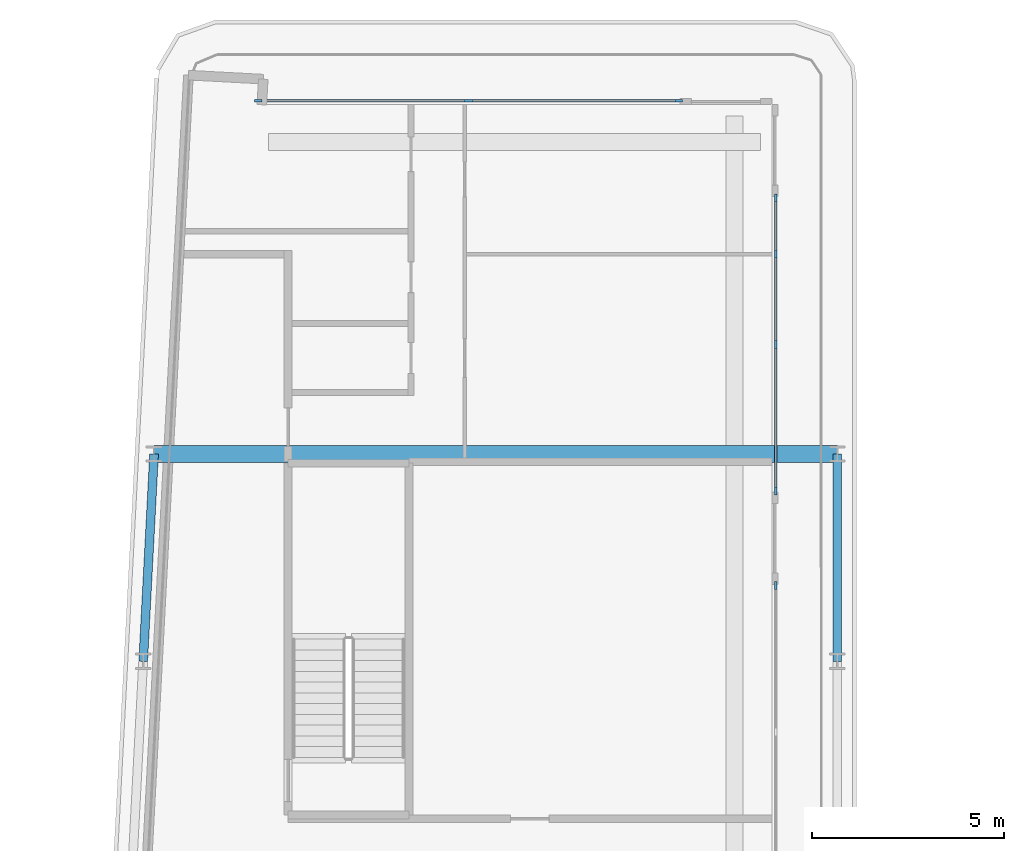
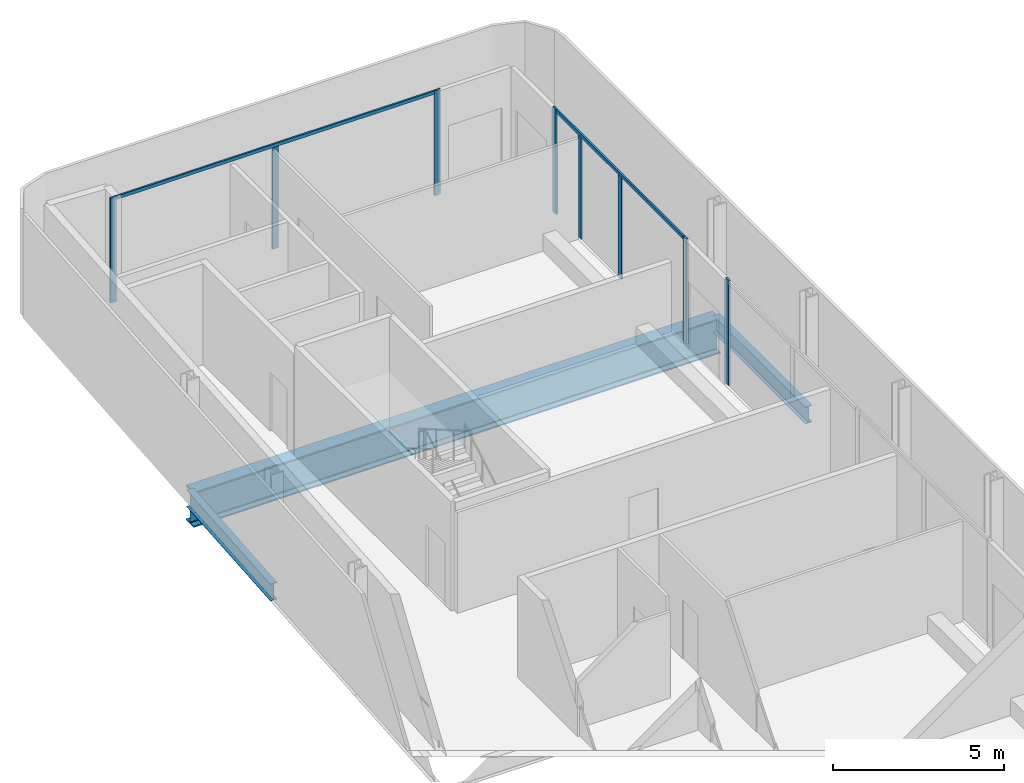
# One storey, part 8 of 27: 10 members, 3 beams, 3 elements without a shape of their own.
"""IFC4 building model written with IfcOpenShell, lengths in metres."""

from ifc_helpers import new_model, si_unit, direction, frame, origin, origin_2d, place, context, subcontext, project, spatial, rectangle, i_section, extrude, material, layer, layer_set, material_profile, profile_set, type_object, element, aggregate, save


model = new_model("IFC4")

# Units and contexts
model_context = context("Model", 3, precision=1e-05, world=origin(), true_north=direction((0.0, 1.0)))
body_context = subcontext(model_context, "Body", "Model", "MODEL_VIEW")
ifc_project = project(units=[si_unit("LENGTHUNIT", "METRE"), si_unit("AREAUNIT", "SQUARE_METRE"), si_unit("VOLUMEUNIT", "CUBIC_METRE"), si_unit("PLANEANGLEUNIT", "RADIAN"), si_unit("MASSUNIT", "GRAM", prefix="KILO")], contexts=[model_context])

# Site, building, storey
site_placement = place(None, origin())
site = spatial("IfcSite", under=ifc_project, at=site_placement, CompositionType="ELEMENT")
building_placement = place(site_placement, origin())
building = spatial("IfcBuilding", under=site, at=building_placement, Name="Kheshtan School and Residences Tower", CompositionType="ELEMENT")
storey_placement = place(building_placement, frame((0.0, 0.0, 152.60009765625)))
storey = spatial("IfcBuildingStorey", under=building, at=storey_placement, Name="L35", CompositionType="ELEMENT", Elevation=152.60009765625)

# Beams
ifc_material_1 = material(Name="Steel ASTM A992 Grade 50", Category="steel")
ifc_material_profile_1 = material_profile(ifc_material_1, i_section(OverallWidth=0.22802734375, OverallDepth=0.60302734375, WebThickness=0.010498046875, FlangeThickness=0.014892578125, FilletRadius=0.013427734375, at=origin_2d()), Name="W610x101")
ifc_profile_set_1 = profile_set([ifc_material_profile_1], Name="Steel ASTM A992 Grade 50")
beam_type_1 = type_object("IfcBeamType", Name="Beam SP2 W610x101 ASTM A992 Grade 50", PredefinedType="BEAM", material=ifc_profile_set_1)
beam_1_placement = place(storey_placement, frame((47.60009765625, 88.800048828125, -0.45166015625), z_axis=(0.0, -1.0, 0.0), x_axis=(1.0, 0.0, 0.0)))
element("IfcBeam", 1, at=beam_1_placement, inside=storey, type_object=beam_type_1, Name="Spandrel beam C099-C091", PredefinedType="BEAM", context=body_context, shape_type="SweptSolid", body=[
    extrude(i_section(OverallWidth=0.22802734375, OverallDepth=0.60302734375, WebThickness=0.010498046875, FlangeThickness=0.014892578125, FilletRadius=0.013427734375, at=origin_2d()), origin(), (0.0, 0.0, 1.0), 5.400146484375),
])
beam_2_placement = place(storey_placement, frame((29.527099609375, 83.39990234375, -0.45166015625), z_axis=(0.05250670125, 0.998620571751, 0.0), x_axis=(-0.998620571751, 0.05250670125, 0.0)))
element("IfcBeam", 2, at=beam_2_placement, inside=storey, type_object=beam_type_1, Name="Spandrel beam C090-C098", PredefinedType="BEAM", context=body_context, shape_type="SweptSolid", body=[
    extrude(i_section(OverallWidth=0.22802734375, OverallDepth=0.60302734375, WebThickness=0.010498046875, FlangeThickness=0.014892578125, FilletRadius=0.013427734375, at=origin_2d()), origin(), (0.0, 0.0, 1.0), 5.40771484375),
])

# Curtain wall, members
ifc_material_2 = material(Name="Clear low-e glass in thermally broken aluminium frame", Category="aluminium")
ifc_layer = layer(ifc_material_2, 0.199951171875)
ifc_layer_set = layer_set([ifc_layer], Name="Curtain wall CW-L")
curtain_wall_type = type_object("IfcCurtainWallType", Name="Curtain wall CW-L", PredefinedType="NOTDEFINED", material=ifc_layer_set)
curtain_wall_1_placement = place(storey_placement, origin())
curtain_wall_1 = element("IfcCurtainWall", 3, at=curtain_wall_1_placement, inside=storey, type_object=curtain_wall_type, Name="Curtain wall CWL7", PredefinedType="NOTDEFINED")
ifc_material_3 = material(Name="Thermally broken aluminium, dark bronze anodised", Category="aluminium")
ifc_material_profile_2 = material_profile(ifc_material_3, rectangle(XDim=0.06005859375, YDim=0.199951171875, at=origin_2d()), Name="CW-L mullion 60x200")
ifc_profile_set_2 = profile_set([ifc_material_profile_2], Name="Thermally broken aluminium, dark bronze anodised")
member_type_1 = type_object("IfcMemberType", Name="CW-L mullion 60x200", PredefinedType="MULLION", material=ifc_profile_set_2)
member_1_placement = place(storey_placement, frame((32.52197265625, 98.0, 0.0), z_axis=(0.0, 0.0, 1.0), x_axis=(0.0, 1.0, 0.0)))
member_1 = element("IfcMember", 4, at=member_1_placement, type_object=member_type_1, Name="CWL7 mullion 1", PredefinedType="MULLION", context=body_context, shape_type="SweptSolid", body=[
    extrude(rectangle(XDim=0.06005859375, YDim=0.199951171875, at=origin_2d()), origin(), (0.0, 0.0, 1.0), 3.75),
])
member_2_placement = place(storey_placement, frame((37.99609375, 98.0, 0.0), z_axis=(0.0, 0.0, 1.0), x_axis=(0.0, 1.0, 0.0)))
member_2 = element("IfcMember", 5, at=member_2_placement, type_object=member_type_1, Name="CWL7 mullion 2", PredefinedType="MULLION", context=body_context, shape_type="SweptSolid", body=[
    extrude(rectangle(XDim=0.06005859375, YDim=0.199951171875, at=origin_2d()), origin(), (0.0, 0.0, 1.0), 3.6298828125),
])
member_3_placement = place(storey_placement, frame((43.469970703125, 98.0, 0.0), z_axis=(0.0, 0.0, 1.0), x_axis=(0.0, 1.0, 0.0)))
member_3 = element("IfcMember", 6, at=member_3_placement, type_object=member_type_1, Name="CWL7 mullion 3", PredefinedType="MULLION", context=body_context, shape_type="SweptSolid", body=[
    extrude(rectangle(XDim=0.06005859375, YDim=0.199951171875, at=origin_2d()), origin(), (0.0, 0.0, 1.0), 3.75),
])

curtain_wall_2_placement = place(storey_placement, origin())
curtain_wall_2 = element("IfcCurtainWall", 7, at=curtain_wall_2_placement, inside=storey, type_object=curtain_wall_type, Name="Curtain wall CWL8c", PredefinedType="NOTDEFINED")
member_4_placement = place(storey_placement, frame((46.0, 95.469970703125, 0.0), z_axis=(0.0, 0.0, 1.0), x_axis=(1.0, 0.0, 0.0)))
member_4 = element("IfcMember", 8, at=member_4_placement, type_object=member_type_1, Name="CWL8c mullion 1", PredefinedType="MULLION", context=body_context, shape_type="SweptSolid", body=[
    extrude(rectangle(XDim=0.06005859375, YDim=0.199951171875, at=origin_2d()), origin(), (0.0, 0.0, 1.0), 3.75),
])
member_5_placement = place(storey_placement, frame((46.0, 94.0, 0.0), z_axis=(0.0, 0.0, 1.0), x_axis=(1.0, 0.0, 0.0)))
member_5 = element("IfcMember", 9, at=member_5_placement, type_object=member_type_1, Name="CWL8c mullion 2", PredefinedType="MULLION", context=body_context, shape_type="SweptSolid", body=[
    extrude(rectangle(XDim=0.06005859375, YDim=0.199951171875, at=origin_2d()), origin(), (0.0, 0.0, 1.0), 3.6298828125),
])
member_6_placement = place(storey_placement, frame((46.0, 91.653076171875, 0.0), z_axis=(0.0, 0.0, 1.0), x_axis=(1.0, 0.0, 0.0)))
member_6 = element("IfcMember", 10, at=member_6_placement, type_object=member_type_1, Name="CWL8c mullion 3", PredefinedType="MULLION", context=body_context, shape_type="SweptSolid", body=[
    extrude(rectangle(XDim=0.06005859375, YDim=0.199951171875, at=origin_2d()), origin(), (0.0, 0.0, 1.0), 3.6298828125),
])
member_7_placement = place(storey_placement, frame((46.0, 87.8359375, 0.0), z_axis=(0.0, 0.0, 1.0), x_axis=(1.0, 0.0, 0.0)))
member_7 = element("IfcMember", 11, at=member_7_placement, type_object=member_type_1, Name="CWL8c mullion 4", PredefinedType="MULLION", context=body_context, shape_type="SweptSolid", body=[
    extrude(rectangle(XDim=0.06005859375, YDim=0.199951171875, at=origin_2d()), origin(), (0.0, 0.0, 1.0), 3.75),
])

# Curtain wall, member
curtain_wall_3_placement = place(storey_placement, origin())
curtain_wall_3 = element("IfcCurtainWall", 12, at=curtain_wall_3_placement, inside=storey, type_object=curtain_wall_type, Name="Curtain wall CWL8", PredefinedType="NOTDEFINED")
member_8_placement = place(storey_placement, frame((46.0, 85.3759765625, 0.0), z_axis=(0.0, 0.0, 1.0), x_axis=(1.0, 0.0, 0.0)))
member_8 = element("IfcMember", 13, at=member_8_placement, type_object=member_type_1, Name="CWL8 mullion 1", PredefinedType="MULLION", context=body_context, shape_type="SweptSolid", body=[
    extrude(rectangle(XDim=0.06005859375, YDim=0.199951171875, at=origin_2d()), origin(), (0.0, 0.0, 1.0), 3.75),
])
aggregate(curtain_wall_3, [member_8])

# Member
ifc_material_profile_3 = material_profile(ifc_material_3, rectangle(XDim=0.06005859375, YDim=0.1201171875, at=origin_2d()), Name="CW-L transom 60x120")
ifc_profile_set_3 = profile_set([ifc_material_profile_3], Name="Thermally broken aluminium, dark bronze anodised")
member_type_2 = type_object("IfcMemberType", Name="CW-L transom 60x120", PredefinedType="USERDEFINED", material=ifc_profile_set_3)
member_9_placement = place(storey_placement, frame((32.552001953125, 98.0, 3.68994140625), z_axis=(1.0, 0.0, 0.0), x_axis=(0.0, 1.0, 0.0)))
member_9 = element("IfcMember", 14, at=member_9_placement, type_object=member_type_2, Name="CWL7 transom 1", ObjectType="TRANSOM", PredefinedType="USERDEFINED", context=body_context, shape_type="SweptSolid", body=[
    extrude(rectangle(XDim=0.06005859375, YDim=0.1201171875, at=origin_2d()), origin(), (0.0, 0.0, 1.0), 10.887939453125),
])

aggregate(curtain_wall_1, [member_1, member_2, member_3, member_9])

member_10_placement = place(storey_placement, frame((46.0, 95.43994140625, 3.68994140625), z_axis=(0.0, -1.0, 0.0), x_axis=(1.0, 0.0, 0.0)))
member_10 = element("IfcMember", 15, at=member_10_placement, type_object=member_type_2, Name="CWL8c transom 1", ObjectType="TRANSOM", PredefinedType="USERDEFINED", context=body_context, shape_type="SweptSolid", body=[
    extrude(rectangle(XDim=0.06005859375, YDim=0.1201171875, at=origin_2d()), origin(), (0.0, 0.0, 1.0), 7.573974609375),
])

aggregate(curtain_wall_2, [member_4, member_5, member_6, member_7, member_10])

# Beam
ifc_material_profile_4 = material_profile(ifc_material_1, i_section(OverallWidth=0.449951171875, OverallDepth=1.25, WebThickness=0.02490234375, FlangeThickness=0.044921875, FilletRadius=0.03759765625, at=origin_2d()), Name="WWF1250x546")
ifc_profile_set_4 = profile_set([ifc_material_profile_4], Name="Steel ASTM A992 Grade 50")
beam_type_2 = type_object("IfcBeamType", Name="Transfer girder TG4 WWF1250x546 ASTM A992 Grade 50", PredefinedType="BEAM", material=ifc_profile_set_4)
beam_3_placement = place(storey_placement, frame((29.81103515625, 88.800048828125, -0.775146484375), z_axis=(1.0, 0.0, 0.0), x_axis=(0.0, 1.0, 0.0)))
element("IfcBeam", 16, at=beam_3_placement, inside=storey, type_object=beam_type_2, Name="Transfer girder C098-C099", PredefinedType="BEAM", context=body_context, shape_type="SweptSolid", body=[
    extrude(i_section(OverallWidth=0.449951171875, OverallDepth=1.25, WebThickness=0.02490234375, FlangeThickness=0.044921875, FilletRadius=0.03759765625, at=origin_2d()), origin(), (0.0, 0.0, 1.0), 17.7890625),
])

save(model, "model.ifc")
